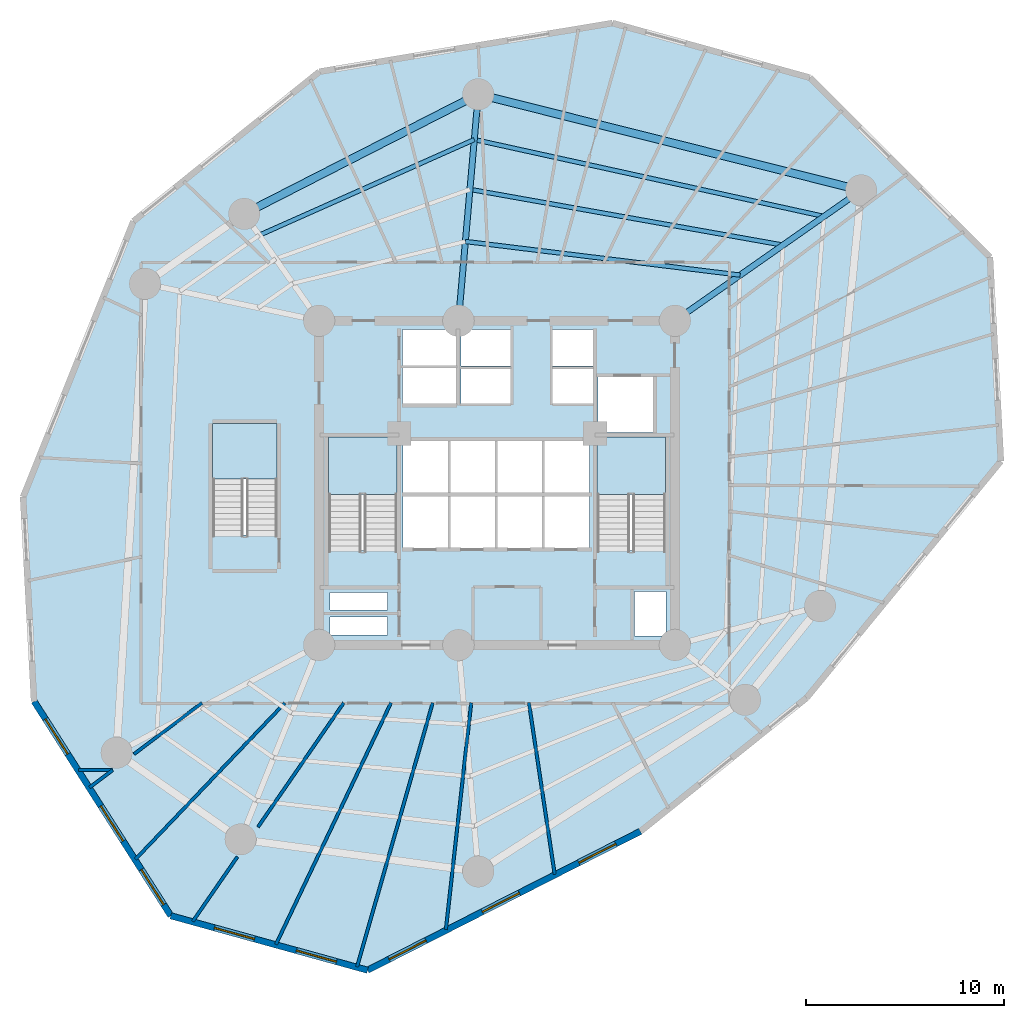
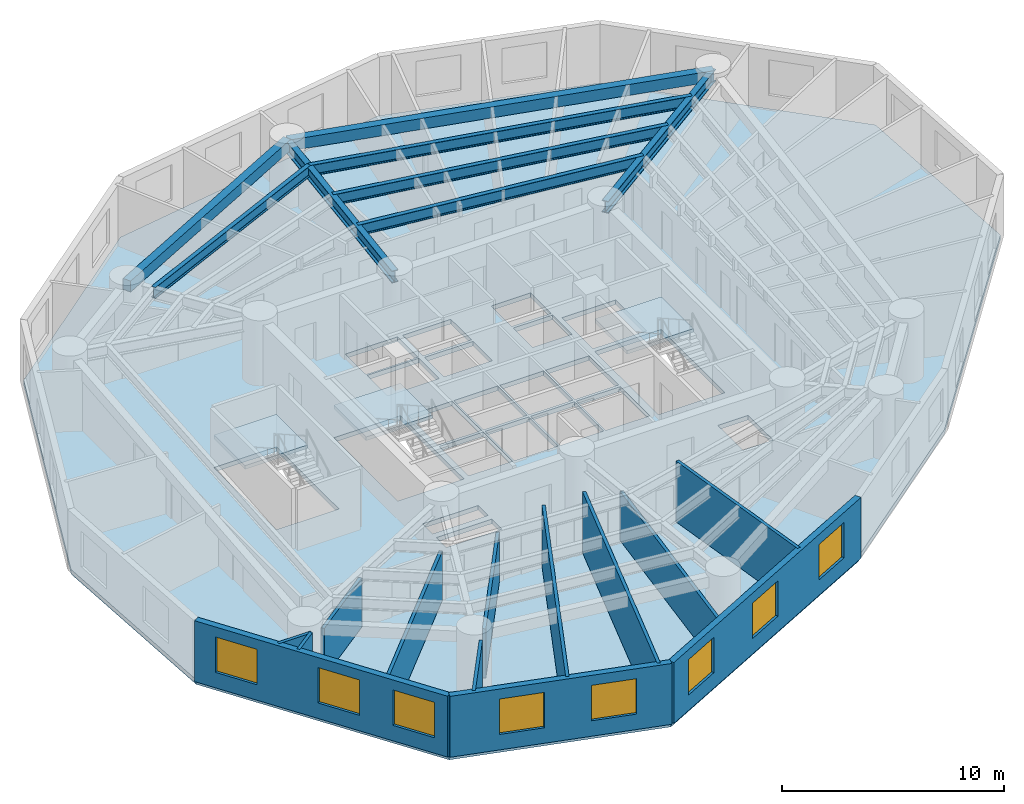
# One storey, part 2 of 8: 13 walls, 8 beams, 8 windows, 4 slabs, 8 openings, 3 elements without a shape of their own.
"""IFC4 building model written with IfcOpenShell, lengths in metres."""

from ifc_helpers import new_model, si_unit, direction, frame, frame_2d, origin, origin_with_axes, origin_2d, place, context, subcontext, project, spatial, polyline, rectangle, i_section, outline, extrude, source, transform, mapped, material, layer, layer_set, material_profile, profile_set, type_object, element, fill, aggregate, save


model = new_model("IFC4")

# Units and contexts
model_context = context("Model", 3, precision=1e-05, world=origin(), true_north=direction((0.0, 1.0)))
body_context = subcontext(model_context, "Body", "Model", "MODEL_VIEW")
ifc_project = project(units=[si_unit("LENGTHUNIT", "METRE"), si_unit("AREAUNIT", "SQUARE_METRE"), si_unit("VOLUMEUNIT", "CUBIC_METRE"), si_unit("PLANEANGLEUNIT", "RADIAN"), si_unit("MASSUNIT", "GRAM", prefix="KILO")], contexts=[model_context])

# Site, building, storey
site_placement = place(None, origin())
site = spatial("IfcSite", under=ifc_project, at=site_placement, CompositionType="ELEMENT")
building_placement = place(site_placement, origin())
building = spatial("IfcBuilding", under=site, at=building_placement, Name="Karkom Vertical University and Central Library", CompositionType="ELEMENT")
storey_placement = place(building_placement, frame((0.0, 0.0, 55.300048828125)))
storey = spatial("IfcBuildingStorey", under=building, at=storey_placement, Name="L14", CompositionType="ELEMENT", Elevation=55.300048828125)

# Beams
ifc_material_1 = material(Name="Steel S355", Category="steel")
ifc_material_profile_1 = material_profile(ifc_material_1, i_section(OverallWidth=0.300048828125, OverallDepth=0.64990234375, WebThickness=0.01611328125, FlangeThickness=0.031005859375, FilletRadius=0.027099609375, at=origin_2d()), Name="HE 650 B")
ifc_profile_set_1 = profile_set([ifc_material_profile_1], Name="Steel S355")
beam_type_1 = type_object("IfcBeamType", Name="STR-BM-SB-HE650", PredefinedType="USERDEFINED", material=ifc_profile_set_1)
shared_shape_1 = source(origin_with_axes(), body_context, "Body", "SweptSolid", [
    extrude(i_section(OverallWidth=0.300048828125, OverallDepth=0.64990234375, WebThickness=0.01611328125, FlangeThickness=0.031005859375, FilletRadius=0.027099609375, at=origin_2d()), origin(), (0.0, 0.0, 1.0), 11.49951171875),
])
beam_1_placement = place(storey_placement, frame((37.5, 34.699951171875, 3.02490234375), z_axis=(0.81915012564, 0.573579176457, 0.0), x_axis=(-0.573579176457, 0.81915012564, 0.0)))
element("IfcBeam", 1, at=beam_1_placement, inside=storey, type_object=beam_type_1, Name="Level 14 Radial Frame Girder 02", ObjectType="GIRDER", PredefinedType="USERDEFINED", context=body_context, shape_type="MappedRepresentation", body=[
    mapped(shared_shape_1, transform((0.0, 0.0, 0.0), scale=1.0)),
])
shared_shape_2 = source(origin_with_axes(), body_context, "Body", "SweptSolid", [
    extrude(i_section(OverallWidth=0.300048828125, OverallDepth=0.64990234375, WebThickness=0.01611328125, FlangeThickness=0.031005859375, FilletRadius=0.027099609375, at=origin_2d()), origin(), (0.0, 0.0, 1.0), 11.499755859375),
])
beam_2_placement = place(storey_placement, frame((26.550048828125, 34.699951171875, 3.02490234375), z_axis=(0.087127973109, 0.99619712723, 0.0), x_axis=(-0.99619712723, 0.087127973109, 0.0)))
element("IfcBeam", 2, at=beam_2_placement, inside=storey, type_object=beam_type_1, Name="Level 14 Radial Frame Girder 03", ObjectType="GIRDER", PredefinedType="USERDEFINED", context=body_context, shape_type="MappedRepresentation", body=[
    mapped(shared_shape_2, transform((0.0, 0.0, 0.0), scale=1.0)),
])
ifc_material_2 = material(Name="Precast concrete C45/55", Category="concrete")
ifc_material_profile_2 = material_profile(ifc_material_2, rectangle(XDim=0.39990234375, YDim=0.60009765625, at=origin_2d()), Name="SPB-400x600")
ifc_profile_set_2 = profile_set([ifc_material_profile_2], Name="Precast concrete C45/55")
beam_type_2 = type_object("IfcBeamType", Name="STR-BM-SP-1", PredefinedType="SPANDREL", material=ifc_profile_set_2)
shared_shape_3 = source(origin_with_axes(), body_context, "Body", "SweptSolid", [
    extrude(rectangle(XDim=0.39990234375, YDim=0.60009765625, at=origin_2d()), origin(), (0.0, 0.0, 1.0), 19.968505859375),
])
beam_3_placement = place(storey_placement, frame((46.919921875, 41.2958984375, 3.050048828125), z_axis=(-0.969928522391, 0.243389937039, 0.0), x_axis=(-0.243389937039, -0.969928522391, 0.0)))
element("IfcBeam", 3, at=beam_3_placement, inside=storey, type_object=beam_type_2, Name="Level 14 Perimeter Spandrel Beam 02", PredefinedType="SPANDREL", context=body_context, shape_type="MappedRepresentation", body=[
    mapped(shared_shape_3, transform((0.0, 0.0, 0.0), scale=1.0)),
])
shared_shape_4 = source(origin_with_axes(), body_context, "Body", "SweptSolid", [
    extrude(rectangle(XDim=0.39990234375, YDim=0.60009765625, at=origin_2d()), origin(), (0.0, 0.0, 1.0), 13.29443359375),
])
beam_4_placement = place(storey_placement, frame((27.552001953125, 46.156005859375, 3.050048828125), z_axis=(-0.890447746793, -0.455085497716, 0.0), x_axis=(0.455085497716, -0.890447746793, 0.0)))
element("IfcBeam", 4, at=beam_4_placement, inside=storey, type_object=beam_type_2, Name="Level 14 Perimeter Spandrel Beam 03", PredefinedType="SPANDREL", context=body_context, shape_type="MappedRepresentation", body=[
    mapped(shared_shape_4, transform((0.0, 0.0, 0.0), scale=1.0)),
])
ifc_material_profile_3 = material_profile(ifc_material_1, i_section(OverallWidth=0.219970703125, OverallDepth=0.60009765625, WebThickness=0.011962890625, FlangeThickness=0.01904296875, FilletRadius=0.02392578125, at=origin_2d()), Name="IPE 600")
ifc_profile_set_3 = profile_set([ifc_material_profile_3], Name="Steel S355")
beam_type_3 = type_object("IfcBeamType", Name="STR-BM-SB-IPE600", PredefinedType="BEAM", material=ifc_profile_set_3)
shared_shape_5 = source(origin_with_axes(), body_context, "Body", "SweptSolid", [
    extrude(i_section(OverallWidth=0.219970703125, OverallDepth=0.60009765625, WebThickness=0.011962890625, FlangeThickness=0.01904296875, FilletRadius=0.02392578125, at=origin_2d()), origin(), (0.0, 0.0, 1.0), 14.000244140625),
])
beam_5_placement = place(storey_placement, frame((40.797119140625, 37.008544921875, 3.050048828125), z_axis=(-0.992590166403, 0.121510335198, 0.0), x_axis=(-0.121510335198, -0.992590166403, 0.0)))
element("IfcBeam", 5, at=beam_5_placement, inside=storey, type_object=beam_type_3, Name="Level 14 Secondary Composite Floor Beam 1.02", PredefinedType="BEAM", context=body_context, shape_type="MappedRepresentation", body=[
    mapped(shared_shape_5, transform((0.0, 0.0, 0.0), scale=1.0)),
])
shared_shape_6 = source(origin_with_axes(), body_context, "Body", "SweptSolid", [
    extrude(i_section(OverallWidth=0.219970703125, OverallDepth=0.60009765625, WebThickness=0.011962890625, FlangeThickness=0.01904296875, FilletRadius=0.02392578125, at=origin_2d()), origin(), (0.0, 0.0, 1.0), 16.08154296875),
])
beam_6_placement = place(storey_placement, frame((42.963623046875, 38.525634765625, 3.050048828125), z_axis=(-0.984517708807, 0.175285142111, 0.0), x_axis=(-0.175285142111, -0.984517708807, 0.0)))
element("IfcBeam", 6, at=beam_6_placement, inside=storey, type_object=beam_type_3, Name="Level 14 Secondary Composite Floor Beam 2.02", PredefinedType="BEAM", context=body_context, shape_type="MappedRepresentation", body=[
    mapped(shared_shape_6, transform((0.0, 0.0, 0.0), scale=1.0)),
])
shared_shape_7 = source(origin_with_axes(), body_context, "Body", "SweptSolid", [
    extrude(i_section(OverallWidth=0.219970703125, OverallDepth=0.60009765625, WebThickness=0.011962890625, FlangeThickness=0.01904296875, FilletRadius=0.02392578125, at=origin_2d()), origin(), (0.0, 0.0, 1.0), 18.106689453125),
])
beam_7_placement = place(storey_placement, frame((45.035888671875, 39.976806640625, 3.050048828125), z_axis=(-0.976674731786, 0.214724167926, 0.0), x_axis=(-0.214724167926, -0.976674731786, 0.0)))
element("IfcBeam", 7, at=beam_7_placement, inside=storey, type_object=beam_type_3, Name="Level 14 Secondary Composite Floor Beam 3.02", PredefinedType="BEAM", context=body_context, shape_type="MappedRepresentation", body=[
    mapped(shared_shape_7, transform((0.0, 0.0, 0.0), scale=1.0)),
])
shared_shape_8 = source(origin_with_axes(), body_context, "Body", "SweptSolid", [
    extrude(i_section(OverallWidth=0.219970703125, OverallDepth=0.60009765625, WebThickness=0.011962890625, FlangeThickness=0.01904296875, FilletRadius=0.02392578125, at=origin_2d()), origin(), (0.0, 0.0, 1.0), 11.908203125),
])
beam_8_placement = place(storey_placement, frame((27.3515625, 43.86474609375, 3.050048828125), z_axis=(-0.913682996781, -0.406427584441, 0.0), x_axis=(0.406427584441, -0.913682996781, 0.0)))
element("IfcBeam", 8, at=beam_8_placement, inside=storey, type_object=beam_type_3, Name="Level 14 Secondary Composite Floor Beam 3.03", PredefinedType="BEAM", context=body_context, shape_type="MappedRepresentation", body=[
    mapped(shared_shape_8, transform((0.0, 0.0, 0.0), scale=1.0)),
])

# Stair, slab
ifc_material_3 = material(Name="Concrete C45/55", Category="concrete")
stair_type_1 = type_object("IfcStairType", Name="INT-STR-ST-MAIN", PredefinedType="HALF_TURN_STAIR", material=ifc_material_3)
stair_1_placement = place(storey_placement, origin())
stair_1 = element("IfcStair", 9, at=stair_1_placement, inside=storey, type_object=stair_type_1, Name="Level 14 Tower Protected Exit Stair ST-1", PredefinedType="HALF_TURN_STAIR")
ifc_layer_1 = layer(ifc_material_3, 0.199951171875)
ifc_layer_set_1 = layer_set([ifc_layer_1], Name="Concrete C45/55")
slab_type_1 = type_object("IfcSlabType", Name="INT-SLB-LANDING", PredefinedType="LANDING", material=ifc_layer_set_1)
slab_1_placement = place(storey_placement, frame((0.0, 0.0, 1.599853515625)))
slab_1 = element("IfcSlab", 10, at=slab_1_placement, type_object=slab_type_1, Name="ST-1 landing 1", PredefinedType="LANDING", context=body_context, shape_type="SweptSolid", body=[
    extrude(outline(polyline([(23.43994140625, 25.919921875), (23.43994140625, 28.820068359375), (19.97998046875, 28.820068359375), (19.97998046875, 25.919921875), (23.43994140625, 25.919921875)])), origin(), (0.0, 0.0, 1.0), 0.2001953125),
])
aggregate(stair_1, [slab_1])

stair_2_placement = place(storey_placement, origin())
stair_2 = element("IfcStair", 11, at=stair_2_placement, inside=storey, type_object=stair_type_1, Name="Level 14 Tower Protected Exit Stair ST-2", PredefinedType="HALF_TURN_STAIR")
slab_2_placement = place(storey_placement, frame((0.0, 0.0, 1.599853515625)))
slab_2 = element("IfcSlab", 12, at=slab_2_placement, type_object=slab_type_1, Name="ST-2 landing 1", PredefinedType="LANDING", context=body_context, shape_type="SweptSolid", body=[
    extrude(outline(polyline([(37.02001953125, 25.919921875), (37.02001953125, 28.820068359375), (33.56005859375, 28.820068359375), (33.56005859375, 25.919921875), (37.02001953125, 25.919921875)])), origin(), (0.0, 0.0, 1.0), 0.2001953125),
])
aggregate(stair_2, [slab_2])

stair_type_2 = type_object("IfcStairType", Name="INT-STR-ST-SEC", PredefinedType="HALF_TURN_STAIR", material=ifc_material_3)
stair_3_placement = place(storey_placement, origin())
stair_3 = element("IfcStair", 13, at=stair_3_placement, inside=storey, type_object=stair_type_2, Name="Level 14 Academic Zone Protected Exit Stair ST-3", PredefinedType="HALF_TURN_STAIR")
slab_3_placement = place(storey_placement, frame((0.0, 0.0, 1.599853515625)))
slab_3 = element("IfcSlab", 14, at=slab_3_placement, type_object=slab_type_1, Name="ST-3 landing 1", PredefinedType="LANDING", context=body_context, shape_type="SweptSolid", body=[
    extrude(outline(polyline([(17.3798828125, 26.699951171875), (17.3798828125, 29.5), (14.1201171875, 29.5), (14.1201171875, 26.699951171875), (17.3798828125, 26.699951171875)])), origin(), (0.0, 0.0, 1.0), 0.2001953125),
])
aggregate(stair_3, [slab_3])

# Slab
ifc_layer_2 = layer(ifc_material_3, 0.25)
ifc_layer_set_2 = layer_set([ifc_layer_2], Name="Concrete C45/55")
slab_type_2 = type_object("IfcSlabType", Name="STR-SLB-FLR-250", PredefinedType="FLOOR", material=ifc_layer_set_2)
slab_4_placement = place(storey_placement, frame((0.0, 0.0, -0.25)))
element("IfcSlab", 15, at=slab_4_placement, inside=storey, type_object=slab_type_2, Name="Level 14 Tower Structural Floor Slab", PredefinedType="FLOOR", context=body_context, shape_type="SweptSolid", body=[
    extrude(outline(polyline([(19.52001953125, 47.295654296875), (10.117919921875, 39.736083984375), (4.534912109375, 25.787109375), (5.08837890625, 15.45166015625), (11.99951171875, 4.604248046875), (21.953857421875, 1.85009765625), (35.75830078125, 8.877685546875), (44.152587890625, 15.626953125), (53.980712890625, 27.60009765625), (53.42822265625, 37.913818359375), (44.318115234375, 46.992919921875), (34.34228515625, 49.7529296875), (19.52001953125, 47.295654296875)]), holes=[polyline([(19.97998046875, 23.0849609375), (23.43994140625, 23.0849609375), (23.43994140625, 28.820068359375), (19.97998046875, 28.820068359375), (19.97998046875, 23.0849609375)]), polyline([(33.56005859375, 23.0849609375), (37.02001953125, 23.0849609375), (37.02001953125, 28.820068359375), (33.56005859375, 28.820068359375), (33.56005859375, 23.0849609375)]), polyline([(14.1201171875, 23.864990234375), (17.3798828125, 23.864990234375), (17.3798828125, 29.5), (14.1201171875, 29.5), (14.1201171875, 23.864990234375)]), polyline([(23.75, 23.199951171875), (26.030029296875, 23.199951171875), (26.030029296875, 25.85009765625), (23.75, 25.85009765625), (23.75, 23.199951171875)]), polyline([(26.1298828125, 23.199951171875), (28.409912109375, 23.199951171875), (28.409912109375, 25.85009765625), (26.1298828125, 25.85009765625), (26.1298828125, 23.199951171875)]), polyline([(28.510009765625, 23.199951171875), (30.7900390625, 23.199951171875), (30.7900390625, 25.85009765625), (28.510009765625, 25.85009765625), (28.510009765625, 23.199951171875)]), polyline([(30.889892578125, 23.199951171875), (33.169921875, 23.199951171875), (33.169921875, 25.85009765625), (30.889892578125, 25.85009765625), (30.889892578125, 23.199951171875)]), polyline([(23.75, 26.0), (26.030029296875, 26.0), (26.030029296875, 28.64990234375), (23.75, 28.64990234375), (23.75, 26.0)]), polyline([(26.1298828125, 26.0), (28.409912109375, 26.0), (28.409912109375, 28.64990234375), (26.1298828125, 28.64990234375), (26.1298828125, 26.0)]), polyline([(28.510009765625, 26.0), (30.7900390625, 26.0), (30.7900390625, 28.64990234375), (28.510009765625, 28.64990234375), (28.510009765625, 26.0)]), polyline([(30.889892578125, 26.0), (33.169921875, 26.0), (33.169921875, 28.64990234375), (30.889892578125, 28.64990234375), (30.889892578125, 26.0)]), polyline([(26.679931640625, 30.5), (29.199951171875, 30.5), (29.199951171875, 32.25), (26.679931640625, 32.25), (26.679931640625, 30.5)]), polyline([(26.679931640625, 32.39990234375), (29.199951171875, 32.39990234375), (29.199951171875, 34.25), (26.679931640625, 34.25), (26.679931640625, 32.39990234375)]), polyline([(31.300048828125, 30.5), (33.35009765625, 30.5), (33.35009765625, 32.25), (31.300048828125, 32.25), (31.300048828125, 30.5)]), polyline([(31.300048828125, 32.39990234375), (33.35009765625, 32.39990234375), (33.35009765625, 34.25), (31.300048828125, 34.25), (31.300048828125, 32.39990234375)]), polyline([(23.719970703125, 30.47998046875), (26.429931640625, 30.47998046875), (26.429931640625, 32.320068359375), (23.719970703125, 32.320068359375), (23.719970703125, 30.47998046875)]), polyline([(23.719970703125, 32.419921875), (26.429931640625, 32.419921875), (26.429931640625, 34.260009765625), (23.719970703125, 34.260009765625), (23.719970703125, 32.419921875)]), polyline([(33.60009765625, 29.050048828125), (36.39990234375, 29.050048828125), (36.39990234375, 31.85009765625), (33.60009765625, 31.85009765625), (33.60009765625, 29.050048828125)]), polyline([(20.050048828125, 18.820068359375), (22.949951171875, 18.820068359375), (22.949951171875, 19.719970703125), (20.050048828125, 19.719970703125), (20.050048828125, 18.820068359375)]), polyline([(20.050048828125, 20.06005859375), (22.949951171875, 20.06005859375), (22.949951171875, 20.9599609375), (20.050048828125, 20.9599609375), (20.050048828125, 20.06005859375)]), polyline([(35.4599609375, 18.760009765625), (37.0400390625, 18.760009765625), (37.0400390625, 21.010009765625), (35.4599609375, 21.010009765625), (35.4599609375, 18.760009765625)])]), origin(), (0.0, 0.0, 1.0), 0.25),
])

# Wall, openings, windows
ifc_material_4 = material(Name="Brick-faced precast concrete C45/55", Category="masonry")
ifc_layer_3 = layer(ifc_material_4, 0.320068359375)
ifc_layer_set_3 = layer_set([ifc_layer_3], Name="Brick-faced precast concrete C45/55")
wall_type_1 = type_object("IfcWallType", Name="ENV-WL-BRK-320", PredefinedType="SOLIDWALL", material=ifc_layer_set_3)
wall_1_placement = place(storey_placement, frame((5.08837890625, 15.45166015625, 0.0), z_axis=(0.0, 0.0, 1.0), x_axis=(0.5373310839, -0.843371392848, 0.0)))
wall_1 = element("IfcWall", 16, at=wall_1_placement, inside=storey, type_object=wall_type_1, Name="Level 14 Brick-Faced Precast Facade Wall 04", PredefinedType="SOLIDWALL", context=body_context, shape_type="SweptSolid", body=[
    extrude(rectangle(XDim=12.862060546875, YDim=0.320068359375, at=frame_2d((6.43115234375, 0.0))), origin(), (0.0, 0.0, 1.0), 3.349853515625),
])
opening_1_placement = place(wall_1_placement, frame((1.062255859375, 0.0, 0.85009765625)))
opening_1 = element("IfcOpeningElement", 17, at=opening_1_placement, cuts=wall_1, Name="Opening WN-03", PredefinedType="OPENING", context=body_context, shape_type="SweptSolid", body=[
    extrude(rectangle(XDim=2.10009765625, YDim=1.949951171875, at=frame_2d((1.050048828125, 0.97509765625))), frame((0.0, 0.169921875, 0.0), z_axis=(0.0, -1.0, 0.0), x_axis=(1.0, 0.0, 0.0)), (0.0, 0.0, 1.0), 0.340087890625),
])
opening_2_placement = place(wall_1_placement, frame((6.279052734375, 0.0, 0.85009765625)))
opening_2 = element("IfcOpeningElement", 18, at=opening_2_placement, cuts=wall_1, Name="Opening WN-03", PredefinedType="OPENING", context=body_context, shape_type="SweptSolid", body=[
    extrude(rectangle(XDim=2.10009765625, YDim=1.949951171875, at=frame_2d((1.050048828125, 0.97509765625))), frame((0.0, 0.169921875, 0.0), z_axis=(0.0, -1.0, 0.0), x_axis=(1.0, 0.0, 0.0)), (0.0, 0.0, 1.0), 0.340087890625),
])
opening_3_placement = place(wall_1_placement, frame((10.09130859375, 0.0, 0.85009765625)))
opening_3 = element("IfcOpeningElement", 19, at=opening_3_placement, cuts=wall_1, Name="Opening WN-03", PredefinedType="OPENING", context=body_context, shape_type="SweptSolid", body=[
    extrude(rectangle(XDim=2.10009765625, YDim=1.949951171875, at=frame_2d((1.050048828125, 0.97509765625))), frame((0.0, 0.169921875, 0.0), z_axis=(0.0, -1.0, 0.0), x_axis=(1.0, 0.0, 0.0)), (0.0, 0.0, 1.0), 0.340087890625),
])
ifc_material_5 = material(Name="Aluminium thermal-break frame with solar-control IGU", Category="aluminium")
window_type = type_object("IfcWindowType", Name="ENV-WIN-WN-03", PartitioningType="SINGLE_PANEL", PredefinedType="WINDOW", material=ifc_material_5)
shared_shape_9 = source(origin_with_axes(), body_context, "Body", "SweptSolid", [
    extrude(rectangle(XDim=2.10009765625, YDim=1.949951171875, at=frame_2d((1.050048828125, 0.97509765625))), frame((0.0, 0.030029296875, 0.0), z_axis=(0.0, -1.0, 0.0), x_axis=(1.0, 0.0, 0.0)), (0.0, 0.0, 1.0), 0.06005859375),
])
window_1_placement = place(opening_1_placement, origin())
window_1 = element("IfcWindow", 20, at=window_1_placement, inside=storey, type_object=window_type, Name="Level 14 Punched Window 4.1", OverallHeight=1.949951171875, OverallWidth=2.10009765625, PartitioningType="SINGLE_PANEL", PredefinedType="WINDOW", context=body_context, shape_type="MappedRepresentation", body=[
    mapped(shared_shape_9, transform((0.0, 0.0, 0.0), scale=1.0)),
])
fill(opening_1, window_1)
window_2_placement = place(opening_2_placement, origin())
window_2 = element("IfcWindow", 21, at=window_2_placement, inside=storey, type_object=window_type, Name="Level 14 Punched Window 4.2", OverallHeight=1.949951171875, OverallWidth=2.10009765625, PartitioningType="SINGLE_PANEL", PredefinedType="WINDOW", context=body_context, shape_type="MappedRepresentation", body=[
    mapped(shared_shape_9, transform((0.0, 0.0, 0.0), scale=1.0)),
])
fill(opening_2, window_2)
window_3_placement = place(opening_3_placement, origin())
window_3 = element("IfcWindow", 22, at=window_3_placement, inside=storey, type_object=window_type, Name="Level 14 Punched Window 4.3", OverallHeight=1.949951171875, OverallWidth=2.10009765625, PartitioningType="SINGLE_PANEL", PredefinedType="WINDOW", context=body_context, shape_type="MappedRepresentation", body=[
    mapped(shared_shape_9, transform((0.0, 0.0, 0.0), scale=1.0)),
])
fill(opening_3, window_3)

wall_2_placement = place(storey_placement, frame((11.99951171875, 4.604248046875, 0.0), z_axis=(0.0, 0.0, 1.0), x_axis=(0.963790700111, -0.266659870207, 0.0)))
wall_2 = element("IfcWall", 23, at=wall_2_placement, inside=storey, type_object=wall_type_1, Name="Level 14 Brick-Faced Precast Facade Wall 05", PredefinedType="SOLIDWALL", context=body_context, shape_type="SweptSolid", body=[
    extrude(rectangle(XDim=10.328369140625, YDim=0.320068359375, at=frame_2d((5.1640625, 0.0))), origin(), (0.0, 0.0, 1.0), 3.349853515625),
])
opening_4_placement = place(wall_2_placement, frame((2.290283203125, 0.0, 0.85009765625)))
opening_4 = element("IfcOpeningElement", 24, at=opening_4_placement, cuts=wall_2, Name="Opening WN-03", PredefinedType="OPENING", context=body_context, shape_type="SweptSolid", body=[
    extrude(rectangle(XDim=2.10009765625, YDim=1.949951171875, at=frame_2d((1.050048828125, 0.97509765625))), frame((0.0, 0.169921875, 0.0), z_axis=(0.0, -1.0, 0.0), x_axis=(1.0, 0.0, 0.0)), (0.0, 0.0, 1.0), 0.340087890625),
])
opening_5_placement = place(wall_2_placement, frame((6.59326171875, 0.0, 0.85009765625)))
opening_5 = element("IfcOpeningElement", 25, at=opening_5_placement, cuts=wall_2, Name="Opening WN-03", PredefinedType="OPENING", context=body_context, shape_type="SweptSolid", body=[
    extrude(rectangle(XDim=2.10009765625, YDim=1.949951171875, at=frame_2d((1.050048828125, 0.97509765625))), frame((0.0, 0.169921875, 0.0), z_axis=(0.0, -1.0, 0.0), x_axis=(1.0, 0.0, 0.0)), (0.0, 0.0, 1.0), 0.340087890625),
])
window_4_placement = place(opening_4_placement, origin())
window_4 = element("IfcWindow", 26, at=window_4_placement, inside=storey, type_object=window_type, Name="Level 14 Punched Window 5.1", OverallHeight=1.949951171875, OverallWidth=2.10009765625, PartitioningType="SINGLE_PANEL", PredefinedType="WINDOW", context=body_context, shape_type="MappedRepresentation", body=[
    mapped(shared_shape_9, transform((0.0, 0.0, 0.0), scale=1.0)),
])
fill(opening_4, window_4)
window_5_placement = place(opening_5_placement, origin())
window_5 = element("IfcWindow", 27, at=window_5_placement, inside=storey, type_object=window_type, Name="Level 14 Punched Window 5.2", OverallHeight=1.949951171875, OverallWidth=2.10009765625, PartitioningType="SINGLE_PANEL", PredefinedType="WINDOW", context=body_context, shape_type="MappedRepresentation", body=[
    mapped(shared_shape_9, transform((0.0, 0.0, 0.0), scale=1.0)),
])
fill(opening_5, window_5)

wall_3_placement = place(storey_placement, frame((21.953857421875, 1.85009765625, 0.0), z_axis=(0.0, 0.0, 1.0), x_axis=(0.891166475467, 0.453676440874, 0.0)))
wall_3 = element("IfcWall", 28, at=wall_3_placement, inside=storey, type_object=wall_type_1, Name="Level 14 Brick-Faced Precast Facade Wall 06", PredefinedType="SOLIDWALL", context=body_context, shape_type="SweptSolid", body=[
    extrude(rectangle(XDim=15.490234375, YDim=0.320068359375, at=frame_2d((7.7451171875, 0.0))), origin(), (0.0, 0.0, 1.0), 3.349853515625),
])
opening_6_placement = place(wall_3_placement, frame((1.220458984375, 0.0, 0.85009765625)))
opening_6 = element("IfcOpeningElement", 29, at=opening_6_placement, cuts=wall_3, Name="Opening WN-03", PredefinedType="OPENING", context=body_context, shape_type="SweptSolid", body=[
    extrude(rectangle(XDim=2.10009765625, YDim=1.949951171875, at=frame_2d((1.050048828125, 0.97509765625))), frame((0.0, 0.169921875, 0.0), z_axis=(0.0, -1.0, 0.0), x_axis=(1.0, 0.0, 0.0)), (0.0, 0.0, 1.0), 0.340087890625),
])
opening_7_placement = place(wall_3_placement, frame((6.513671875, 0.0, 0.85009765625)))
opening_7 = element("IfcOpeningElement", 30, at=opening_7_placement, cuts=wall_3, Name="Opening WN-03", PredefinedType="OPENING", context=body_context, shape_type="SweptSolid", body=[
    extrude(rectangle(XDim=2.10009765625, YDim=1.949951171875, at=frame_2d((1.050048828125, 0.97509765625))), frame((0.0, 0.169921875, 0.0), z_axis=(0.0, -1.0, 0.0), x_axis=(1.0, 0.0, 0.0)), (0.0, 0.0, 1.0), 0.340087890625),
])
opening_8_placement = place(wall_3_placement, frame((11.98828125, 0.0, 0.85009765625)))
opening_8 = element("IfcOpeningElement", 31, at=opening_8_placement, cuts=wall_3, Name="Opening WN-03", PredefinedType="OPENING", context=body_context, shape_type="SweptSolid", body=[
    extrude(rectangle(XDim=2.10009765625, YDim=1.949951171875, at=frame_2d((1.050048828125, 0.97509765625))), frame((0.0, 0.169921875, 0.0), z_axis=(0.0, -1.0, 0.0), x_axis=(1.0, 0.0, 0.0)), (0.0, 0.0, 1.0), 0.340087890625),
])
window_6_placement = place(opening_6_placement, origin())
window_6 = element("IfcWindow", 32, at=window_6_placement, inside=storey, type_object=window_type, Name="Level 14 Punched Window 6.1", OverallHeight=1.949951171875, OverallWidth=2.10009765625, PartitioningType="SINGLE_PANEL", PredefinedType="WINDOW", context=body_context, shape_type="MappedRepresentation", body=[
    mapped(shared_shape_9, transform((0.0, 0.0, 0.0), scale=1.0)),
])
fill(opening_6, window_6)
window_7_placement = place(opening_7_placement, origin())
window_7 = element("IfcWindow", 33, at=window_7_placement, inside=storey, type_object=window_type, Name="Level 14 Punched Window 6.2", OverallHeight=1.949951171875, OverallWidth=2.10009765625, PartitioningType="SINGLE_PANEL", PredefinedType="WINDOW", context=body_context, shape_type="MappedRepresentation", body=[
    mapped(shared_shape_9, transform((0.0, 0.0, 0.0), scale=1.0)),
])
fill(opening_7, window_7)
window_8_placement = place(opening_8_placement, origin())
window_8 = element("IfcWindow", 34, at=window_8_placement, inside=storey, type_object=window_type, Name="Level 14 Punched Window 6.3", OverallHeight=1.949951171875, OverallWidth=2.10009765625, PartitioningType="SINGLE_PANEL", PredefinedType="WINDOW", context=body_context, shape_type="MappedRepresentation", body=[
    mapped(shared_shape_9, transform((0.0, 0.0, 0.0), scale=1.0)),
])
fill(opening_8, window_8)

# Walls
ifc_material_6 = material(Name="Insulated metal-stud drywall 160mm", Category="gypsum")
ifc_layer_4 = layer(ifc_material_6, 0.159912109375)
ifc_layer_set_4 = layer_set([ifc_layer_4], Name="Insulated metal-stud drywall 160mm")
wall_type_2 = type_object("IfcWallType", Name="INT-WL-COR-160", PredefinedType="PARTITIONING", material=ifc_layer_set_4)
wall_4_placement = place(storey_placement, frame((25.24853515625, 15.37890625, 0.0), z_axis=(0.0, 0.0, 1.0), x_axis=(-0.275628488565, -0.961264238538, 0.0)))
element("IfcWall", 35, at=wall_4_placement, inside=storey, type_object=wall_type_2, Name="Level 14 Interior Partition Wall L14-PW-010", PredefinedType="PARTITIONING", context=body_context, shape_type="SweptSolid", body=[
    extrude(rectangle(XDim=13.89306640625, YDim=0.159912109375, at=frame_2d((6.946533203125, 0.0))), origin(), (0.0, 0.0, 1.0), 3.349853515625),
])
wall_5_placement = place(storey_placement, frame((23.1376953125, 15.377197265625, 0.0), z_axis=(0.0, 0.0, 1.0), x_axis=(-0.429883158036, -0.902884527743, 0.0)))
element("IfcWall", 36, at=wall_5_placement, inside=storey, type_object=wall_type_2, Name="Level 14 Interior Partition Wall L14-PW-009", PredefinedType="PARTITIONING", context=body_context, shape_type="SweptSolid", body=[
    extrude(rectangle(XDim=13.532470703125, YDim=0.159912109375, at=frame_2d((6.76611328125, 0.0))), origin(), (0.0, 0.0, 1.0), 3.349853515625),
])
wall_6_placement = place(storey_placement, frame((27.196533203125, 15.3798828125, 0.0), z_axis=(0.0, 0.0, 1.0), x_axis=(-0.111102248763, -0.993808980801, 0.0)))
element("IfcWall", 37, at=wall_6_placement, inside=storey, type_object=wall_type_2, Name="Level 14 Interior Partition Wall L14-PW-011", PredefinedType="PARTITIONING", context=body_context, shape_type="SweptSolid", body=[
    extrude(rectangle(XDim=11.54541015625, YDim=0.159912109375, at=frame_2d((5.772705078125, 0.0))), origin(), (0.0, 0.0, 1.0), 2.699951171875),
])
wall_7_placement = place(storey_placement, frame((17.7734375, 15.37158203125, 0.0), z_axis=(0.0, 0.0, 1.0), x_axis=(-0.691191745844, -0.722671412523, 0.0)))
element("IfcWall", 38, at=wall_7_placement, inside=storey, type_object=wall_type_2, Name="Level 14 Interior Partition Wall L14-PW-006", PredefinedType="PARTITIONING", context=body_context, shape_type="SweptSolid", body=[
    extrude(rectangle(XDim=10.943115234375, YDim=0.159912109375, at=frame_2d((5.4716796875, 0.0))), origin(), (0.0, 0.0, 1.0), 2.699951171875),
])
wall_8_placement = place(storey_placement, frame((30.110595703125, 15.39453125, 0.0), z_axis=(0.0, 0.0, 1.0), x_axis=(0.148780379467, -0.988870263829, 0.0)))
element("IfcWall", 39, at=wall_8_placement, inside=storey, type_object=wall_type_2, Name="Level 14 Interior Partition Wall L14-PW-012", PredefinedType="PARTITIONING", context=body_context, shape_type="SweptSolid", body=[
    extrude(rectangle(XDim=8.792236328125, YDim=0.159912109375, at=frame_2d((4.39599609375, 0.0))), origin(), (0.0, 0.0, 1.0), 3.349853515625),
])
wall_9_placement = place(storey_placement, frame((20.7451171875, 15.374755859375, 0.0), z_axis=(0.0, 0.0, 1.0), x_axis=(-0.568218054663, -0.822878023984, 0.0)))
element("IfcWall", 40, at=wall_9_placement, inside=storey, type_object=wall_type_2, Name="Level 14 Interior Partition Wall L14-PW-007", PredefinedType="PARTITIONING", context=body_context, shape_type="SweptSolid", body=[
    extrude(rectangle(XDim=7.631103515625, YDim=0.159912109375, at=frame_2d((3.8154296875, 0.0))), origin(), (0.0, 0.0, 1.0), 2.699951171875),
])
wall_10_placement = place(storey_placement, frame((13.580322265625, 15.367919921875, 0.0), z_axis=(0.0, 0.0, 1.0), x_axis=(-0.799564281906, -0.600580518416, 0.0)))
element("IfcWall", 41, at=wall_10_placement, inside=storey, type_object=wall_type_2, Name="Level 14 Interior Partition Wall L14-PW-003", PredefinedType="PARTITIONING", context=body_context, shape_type="SweptSolid", body=[
    extrude(rectangle(XDim=4.305419921875, YDim=0.159912109375, at=frame_2d((2.15283203125, 0.0))), origin(), (0.0, 0.0, 1.0), 2.699951171875),
])
wall_11_placement = place(storey_placement, frame((15.37109375, 7.592041015625, 0.0), z_axis=(0.0, 0.0, 1.0), x_axis=(-0.568221452797, -0.822875677476, 0.0)))
element("IfcWall", 42, at=wall_11_placement, inside=storey, type_object=wall_type_2, Name="Level 14 Interior Partition Wall L14-PW-008", PredefinedType="PARTITIONING", context=body_context, shape_type="SweptSolid", body=[
    extrude(rectangle(XDim=3.969970703125, YDim=0.159912109375, at=frame_2d((1.98486328125, 0.0))), origin(), (0.0, 0.0, 1.0), 3.349853515625),
])
wall_12_placement = place(storey_placement, frame((7.345947265625, 11.97412109375, 0.0), z_axis=(0.0, 0.0, 1.0), x_axis=(1.0, 0.0, 0.0)))
element("IfcWall", 43, at=wall_12_placement, inside=storey, type_object=wall_type_2, Name="Level 14 Interior Partition Wall L14-PW-004", PredefinedType="PARTITIONING", context=body_context, shape_type="SweptSolid", body=[
    extrude(rectangle(XDim=1.716064453125, YDim=0.159912109375, at=frame_2d((0.85791015625, 0.0))), origin(), (0.0, 0.0, 1.0), 3.349853515625),
])
wall_13_placement = place(storey_placement, frame((9.06201171875, 11.97412109375, 0.0), z_axis=(0.0, 0.0, 1.0), x_axis=(-0.799538780587, -0.600614467306, 0.0)))
element("IfcWall", 44, at=wall_13_placement, inside=storey, type_object=wall_type_2, Name="Level 14 Interior Partition Wall L14-PW-005", PredefinedType="PARTITIONING", context=body_context, shape_type="SweptSolid", body=[
    extrude(rectangle(XDim=1.461669921875, YDim=0.159912109375, at=frame_2d((0.73095703125, 0.0))), origin(), (0.0, 0.0, 1.0), 3.349853515625),
])

save(model, "model.ifc")
